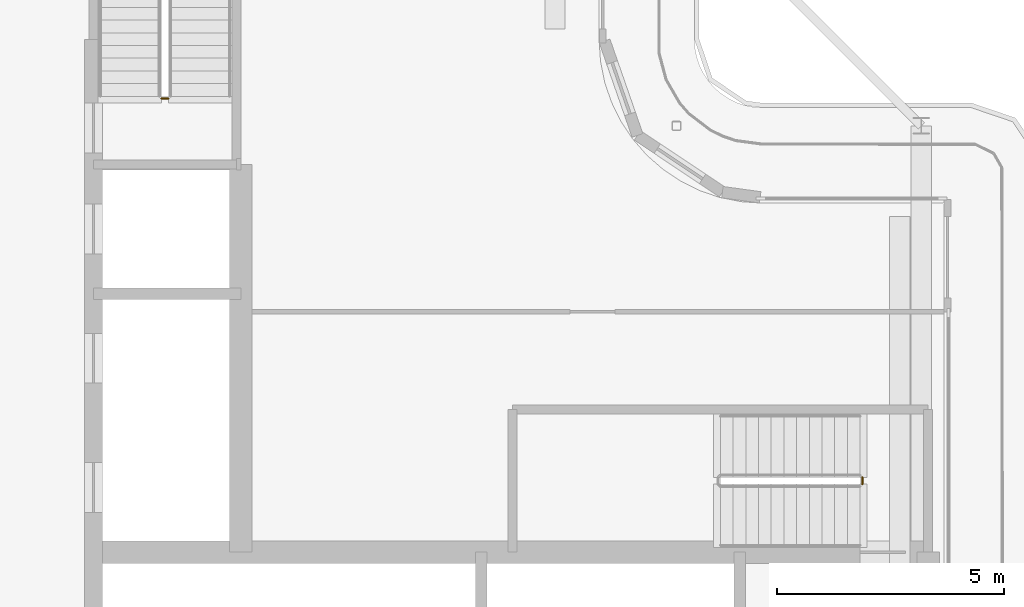
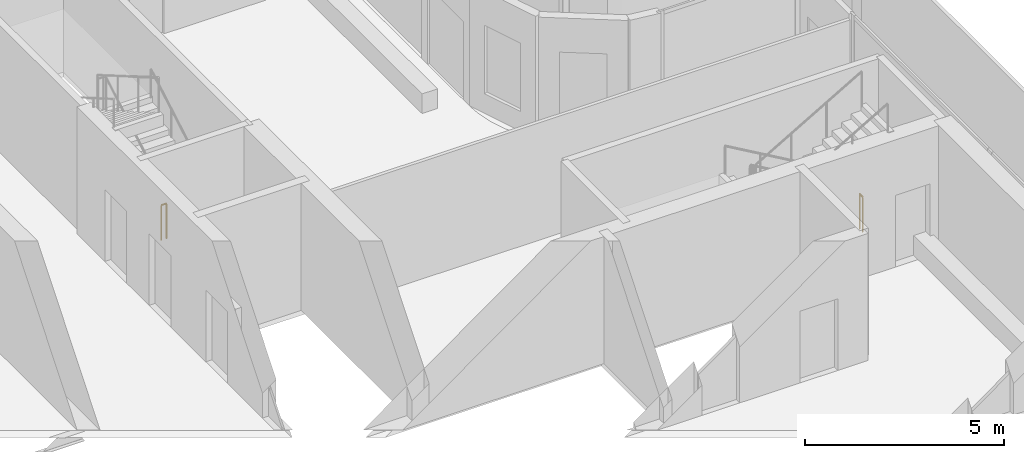
# One storey, part 14 of 18: 2 railings.
"""IFC4 building model written with IfcOpenShell, lengths in metres."""

from ifc_helpers import new_model, si_unit, direction, frame, origin, origin_2d, place, context, subcontext, project, spatial, circle, extrude, material, type_object, element, save


model = new_model("IFC4")

# Units and contexts
model_context = context("Model", 3, precision=1e-05, world=origin(), true_north=direction((0.0, 1.0)))
body_context = subcontext(model_context, "Body", "Model", "MODEL_VIEW")
ifc_project = project(units=[si_unit("LENGTHUNIT", "METRE"), si_unit("AREAUNIT", "SQUARE_METRE"), si_unit("VOLUMEUNIT", "CUBIC_METRE"), si_unit("PLANEANGLEUNIT", "RADIAN"), si_unit("MASSUNIT", "GRAM", prefix="KILO")], contexts=[model_context])

# Site, building, storey
site_placement = place(None, origin())
site = spatial("IfcSite", under=ifc_project, at=site_placement, CompositionType="ELEMENT")
building_placement = place(site_placement, origin())
building = spatial("IfcBuilding", under=site, at=building_placement, Name="Kheshtan School and Residences Tower", CompositionType="ELEMENT")
storey_placement = place(building_placement, frame((0.0, 0.0, 377.300048828125)))
storey = spatial("IfcBuildingStorey", under=building, at=storey_placement, Name="L89", CompositionType="ELEMENT", Elevation=377.300048828125)

# Railings
ifc_material = material(Name="Stainless steel balustrade", Category="steel")
railing_type = type_object("IfcRailingType", Name="Stair guard 1100", PredefinedType="GUARDRAIL", material=ifc_material)
railing_1_placement = place(storey_placement, frame((51.699951171875, 37.85009765625, 0.0)))
element("IfcRailing", 1, at=railing_1_placement, inside=storey, type_object=railing_type, Name="L89 ST1 stair guard 2", PredefinedType="GUARDRAIL", context=body_context, shape_type="SweptSolid", body=[
    extrude(circle(Radius=0.02392578125, at=origin_2d()), frame((0.0, 0.0, 1.076171875), z_axis=(0.0, -1.0, 0.0), x_axis=(1.0, 0.0, 0.0)), (0.0, 0.0, 1.0), 0.150146484375),
    extrude(circle(Radius=0.02099609375, at=origin_2d()), origin(), (0.0, 0.0, 1.0), 1.052001953125),
    extrude(circle(Radius=0.02099609375, at=origin_2d()), frame((0.0, -0.150146484375, 0.0)), (0.0, 0.0, 1.0), 1.052001953125),
])
railing_2_placement = place(storey_placement, frame((36.39990234375, 46.199951171875, 0.0)))
element("IfcRailing", 2, at=railing_2_placement, inside=storey, type_object=railing_type, Name="L89 ST2 stair guard 2", PredefinedType="GUARDRAIL", context=body_context, shape_type="SweptSolid", body=[
    extrude(circle(Radius=0.02392578125, at=origin_2d()), frame((0.0, 0.0, 1.076171875), z_axis=(-1.0, 0.0, 0.0), x_axis=(0.0, -1.0, 0.0)), (0.0, 0.0, 1.0), 0.14990234375),
    extrude(circle(Radius=0.02099609375, at=origin_2d()), origin(), (0.0, 0.0, 1.0), 1.052001953125),
    extrude(circle(Radius=0.02099609375, at=origin_2d()), frame((-0.14990234375, 0.0, 0.0)), (0.0, 0.0, 1.0), 1.052001953125),
])

save(model, "model.ifc")
